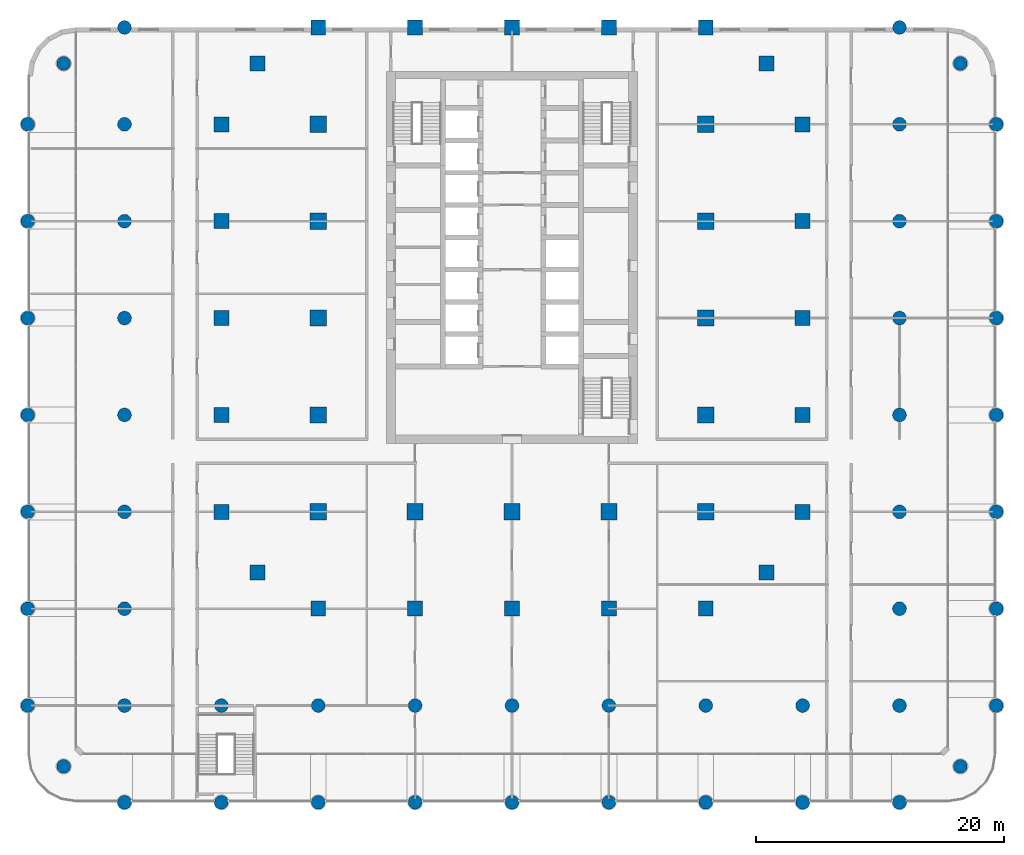
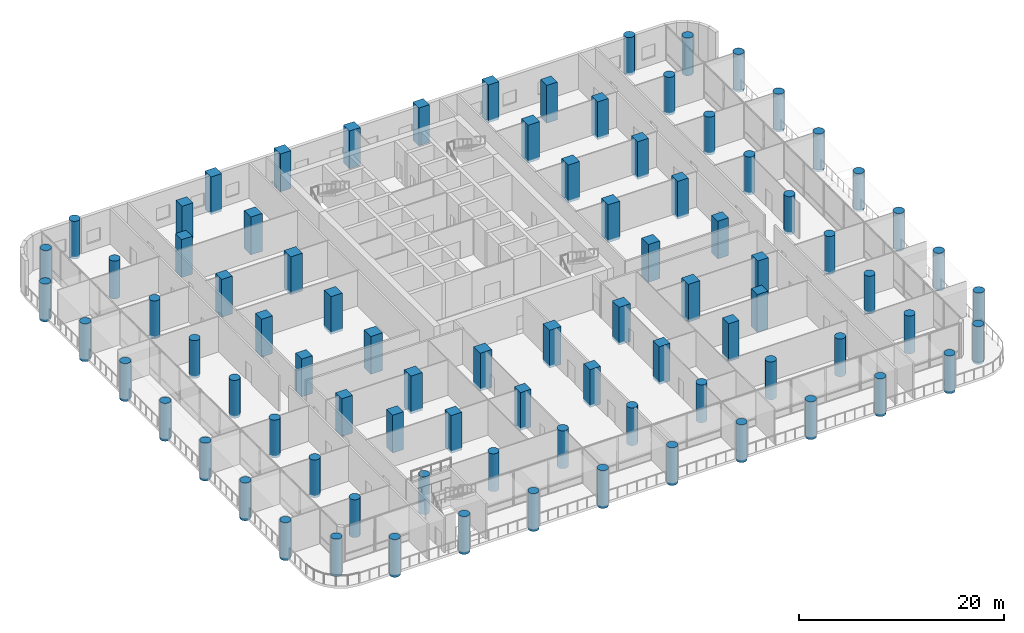
# One storey, part 1 of 24: 87 columns.
"""IFC4 building model written with IfcOpenShell, lengths in metres."""

from ifc_helpers import new_model, si_unit, direction, frame, origin, origin_2d, place, context, subcontext, project, spatial, rectangle, circle, extrude, material, material_profile, profile_set, type_object, element, save


model = new_model("IFC4")

# Units and contexts
model_context = context("Model", 3, precision=1e-05, world=origin(), true_north=direction((0.0, 1.0)))
body_context = subcontext(model_context, "Body", "Model", "MODEL_VIEW")
ifc_project = project(units=[si_unit("LENGTHUNIT", "METRE"), si_unit("AREAUNIT", "SQUARE_METRE"), si_unit("VOLUMEUNIT", "CUBIC_METRE"), si_unit("PLANEANGLEUNIT", "RADIAN"), si_unit("MASSUNIT", "GRAM", prefix="KILO")], contexts=[model_context])

# Site, building, storey
site_placement = place(None, origin())
site = spatial("IfcSite", under=ifc_project, at=site_placement, CompositionType="ELEMENT")
building_placement = place(site_placement, origin())
building = spatial("IfcBuilding", under=site, at=building_placement, Name="Ludao Terraces", CompositionType="ELEMENT")
storey_placement = place(building_placement, frame((0.0, 0.0, 6.0)))
storey = spatial("IfcBuildingStorey", under=building, at=storey_placement, Name="L01", CompositionType="ELEMENT", Elevation=6.0)

# Columns
ifc_material = material(Name="Concrete C60", Category="concrete")
ifc_material_profile_1 = material_profile(ifc_material, rectangle(XDim=1.199951171875, YDim=1.199951171875, at=origin_2d()), Name="1200 X 1200")
ifc_profile_set_1 = profile_set([ifc_material_profile_1], Name="Concrete C60")
column_type_1 = type_object("IfcColumnType", Name="RC column 1200x1200 C60", PredefinedType="COLUMN", material=ifc_profile_set_1)
for number, where, z_axis, x_axis, name in (
    (1, (64.5, 44.5, -0.300048828125), (0.0, 0.0, 1.0), (1.0, 0.0, 0.0), "Column L01 C0029x0029"),
    (2, (105.5, 44.5, -0.300048828125), (0.0, 0.0, 1.0), (1.0, 0.0, 0.0), "Column L01 C0439x0029"),
    (3, (64.5, 85.5, -0.300048828125), (0.0, 0.0, 1.0), (1.0, 0.0, 0.0), "Column L01 C0029x0439"),
    (4, (105.5, 85.5, -0.300048828125), (0.0, 0.0, 1.0), (1.0, 0.0, 0.0), "Column L01 C0439x0439"),
    (5, (61.60009765625, 49.39990234375, -0.300048828125), (0.0, 0.0, 1.0), (1.0, 0.0, 0.0), "Column L01 F0000x0078"),
    (6, (108.39990234375, 49.39990234375, -0.300048828125), (0.0, 0.0, 1.0), (1.0, 0.0, 0.0), "Column L01 F0468x0078"),
    (7, (69.39990234375, 41.60009765625, -0.300048828125), (0.0, 0.0, 1.0), (1.0, 0.0, 0.0), "Column L01 F0078x0000"),
    (8, (69.39990234375, 88.39990234375, -0.300048828125), (0.0, 0.0, 1.0), (1.0, 0.0, 0.0), "Column L01 F0078x0468"),
    (9, (61.60009765625, 57.199951171875, -0.300048828125), (0.0, 0.0, 1.0), (1.0, 0.0, 0.0), "Column L01 F0000x0156"),
    (10, (108.39990234375, 57.199951171875, -0.300048828125), (0.0, 0.0, 1.0), (1.0, 0.0, 0.0), "Column L01 F0468x0156"),
    (11, (77.199951171875, 41.60009765625, -0.300048828125), (0.0, 0.0, 1.0), (1.0, 0.0, 0.0), "Column L01 F0156x0000"),
    (12, (77.199951171875, 88.39990234375, -0.300048828125), (0.0, 0.0, 1.0), (1.0, 0.0, 0.0), "Column L01 F0156x0468"),
    (13, (61.60009765625, 65.0, -0.300048828125), (0.0, 0.0, 1.0), (1.0, 0.0, 0.0), "Column L01 F0000x0234"),
    (14, (108.39990234375, 65.0, -0.300048828125), (0.0, 0.0, 1.0), (1.0, 0.0, 0.0), "Column L01 F0468x0234"),
    (15, (85.0, 41.60009765625, -0.300048828125), (0.0, 0.0, 1.0), (1.0, 0.0, 0.0), "Column L01 F0234x0000"),
    (16, (85.0, 88.39990234375, -0.300048828125), (0.0, 0.0, 1.0), (1.0, 0.0, 0.0), "Column L01 F0234x0468"),
    (17, (61.60009765625, 72.800048828125, -0.300048828125), (0.0, 0.0, 1.0), (1.0, 0.0, 0.0), "Column L01 F0000x0312"),
    (18, (108.39990234375, 72.800048828125, -0.300048828125), (0.0, 0.0, 1.0), (1.0, 0.0, 0.0), "Column L01 F0468x0312"),
    (19, (92.800048828125, 41.60009765625, -0.300048828125), (0.0, 0.0, 1.0), (1.0, 0.0, 0.0), "Column L01 F0312x0000"),
    (20, (92.800048828125, 88.39990234375, -0.300048828125), (0.0, 0.0, 1.0), (1.0, 0.0, 0.0), "Column L01 F0312x0468"),
    (21, (61.60009765625, 80.60009765625, -0.300048828125), (0.0, 0.0, 1.0), (1.0, 0.0, 0.0), "Column L01 F0000x0390"),
    (22, (108.39990234375, 80.60009765625, -0.300048828125), (0.0, 0.0, 1.0), (1.0, 0.0, 0.0), "Column L01 F0468x0390"),
    (23, (100.60009765625, 41.60009765625, -0.300048828125), (0.0, 0.0, 1.0), (1.0, 0.0, 0.0), "Column L01 F0390x0000"),
    (24, (100.60009765625, 88.39990234375, -0.300048828125), (0.0, 0.0, 1.0), (1.0, 0.0, 0.0), "Column L01 F0390x0468"),
):
    element("IfcColumn", number, at=place(storey_placement, frame(where, z_axis=z_axis, x_axis=x_axis)), inside=storey, type_object=column_type_1, Name=name, PredefinedType="COLUMN", context=body_context, shape_type="SweptSolid", body=[
        extrude(rectangle(XDim=1.199951171875, YDim=1.199951171875, at=origin_2d()), origin(), (0.0, 0.0, 1.0), 4.5),
    ])
ifc_material_profile_2 = material_profile(ifc_material, rectangle(XDim=1.300048828125, YDim=1.300048828125, at=origin_2d()), Name="1300 X 1300")
ifc_profile_set_2 = profile_set([ifc_material_profile_2], Name="Concrete C60")
column_type_2 = type_object("IfcColumnType", Name="RC column 1300x1300 C60", PredefinedType="COLUMN", material=ifc_profile_set_2)
for number, where, z_axis, x_axis, name in (
    (25, (69.39990234375, 49.39990234375, -0.300048828125), (0.0, 0.0, 1.0), (1.0, 0.0, 0.0), "Column L01 S0078x0078"),
    (26, (69.39990234375, 57.199951171875, -0.300048828125), (0.0, 0.0, 1.0), (1.0, 0.0, 0.0), "Column L01 S0078x0156"),
    (27, (69.39990234375, 65.0, -0.300048828125), (0.0, 0.0, 1.0), (1.0, 0.0, 0.0), "Column L01 S0078x0234"),
    (28, (69.39990234375, 72.800048828125, -0.300048828125), (0.0, 0.0, 1.0), (1.0, 0.0, 0.0), "Column L01 S0078x0312"),
    (29, (69.39990234375, 80.60009765625, -0.300048828125), (0.0, 0.0, 1.0), (1.0, 0.0, 0.0), "Column L01 S0078x0390"),
    (30, (77.199951171875, 49.39990234375, -0.300048828125), (0.0, 0.0, 1.0), (1.0, 0.0, 0.0), "Column L01 S0156x0078"),
    (31, (85.0, 49.39990234375, -0.300048828125), (0.0, 0.0, 1.0), (1.0, 0.0, 0.0), "Column L01 S0234x0078"),
    (32, (92.800048828125, 49.39990234375, -0.300048828125), (0.0, 0.0, 1.0), (1.0, 0.0, 0.0), "Column L01 S0312x0078"),
    (33, (100.60009765625, 49.39990234375, -0.300048828125), (0.0, 0.0, 1.0), (1.0, 0.0, 0.0), "Column L01 S0390x0078"),
    (34, (100.60009765625, 57.199951171875, -0.300048828125), (0.0, 0.0, 1.0), (1.0, 0.0, 0.0), "Column L01 S0390x0156"),
    (35, (100.60009765625, 65.0, -0.300048828125), (0.0, 0.0, 1.0), (1.0, 0.0, 0.0), "Column L01 S0390x0234"),
    (36, (100.60009765625, 72.800048828125, -0.300048828125), (0.0, 0.0, 1.0), (1.0, 0.0, 0.0), "Column L01 S0390x0312"),
    (37, (100.60009765625, 80.60009765625, -0.300048828125), (0.0, 0.0, 1.0), (1.0, 0.0, 0.0), "Column L01 S0390x0390"),
):
    element("IfcColumn", number, at=place(storey_placement, frame(where, z_axis=z_axis, x_axis=x_axis)), inside=storey, type_object=column_type_2, Name=name, PredefinedType="COLUMN", context=body_context, shape_type="SweptSolid", body=[
        extrude(rectangle(XDim=1.300048828125, YDim=1.300048828125, at=origin_2d()), origin(), (0.0, 0.0, 1.0), 4.5),
    ])
ifc_material_profile_3 = material_profile(ifc_material, circle(Radius=0.550048828125, at=origin_2d()), Name="D1100")
ifc_profile_set_3 = profile_set([ifc_material_profile_3], Name="Concrete C60")
column_type_3 = type_object("IfcColumnType", Name="RC column D1100 C60", PredefinedType="COLUMN", material=ifc_profile_set_3)
for number, where, z_axis, x_axis, name in (
    (38, (48.89990234375, 28.89990234375, -0.300048828125), (0.0, 0.0, 1.0), (1.0, 0.0, 0.0), "Column L01 G-127x-127"),
    (39, (46.0, 33.800048828125, -0.300048828125), (0.0, 0.0, 1.0), (1.0, 0.0, 0.0), "Column L01 G-156x-078"),
    (40, (46.0, 41.60009765625, -0.300048828125), (0.0, 0.0, 1.0), (1.0, 0.0, 0.0), "Column L01 G-156x0000"),
    (41, (46.0, 49.39990234375, -0.300048828125), (0.0, 0.0, 1.0), (1.0, 0.0, 0.0), "Column L01 G-156x0078"),
    (42, (46.0, 57.199951171875, -0.300048828125), (0.0, 0.0, 1.0), (1.0, 0.0, 0.0), "Column L01 G-156x0156"),
    (43, (46.0, 65.0, -0.300048828125), (0.0, 0.0, 1.0), (1.0, 0.0, 0.0), "Column L01 G-156x0234"),
    (44, (46.0, 72.800048828125, -0.300048828125), (0.0, 0.0, 1.0), (1.0, 0.0, 0.0), "Column L01 G-156x0312"),
    (45, (46.0, 80.60009765625, -0.300048828125), (0.0, 0.0, 1.0), (1.0, 0.0, 0.0), "Column L01 G-156x0390"),
    (46, (48.89990234375, 85.5, -0.300048828125), (0.0, 0.0, 1.0), (1.0, 0.0, 0.0), "Column L01 G-127x0439"),
    (47, (53.800048828125, 26.0, -0.300048828125), (0.0, 0.0, 1.0), (1.0, 0.0, 0.0), "Column L01 G-078x-156"),
    (48, (53.800048828125, 33.800048828125, -0.300048828125), (0.0, 0.0, 1.0), (1.0, 0.0, 0.0), "Column L01 G-078x-078"),
    (49, (53.800048828125, 41.60009765625, -0.300048828125), (0.0, 0.0, 1.0), (1.0, 0.0, 0.0), "Column L01 G-078x0000"),
    (50, (53.800048828125, 49.39990234375, -0.300048828125), (0.0, 0.0, 1.0), (1.0, 0.0, 0.0), "Column L01 G-078x0078"),
    (51, (53.800048828125, 57.199951171875, -0.300048828125), (0.0, 0.0, 1.0), (1.0, 0.0, 0.0), "Column L01 G-078x0156"),
    (52, (53.800048828125, 65.0, -0.300048828125), (0.0, 0.0, 1.0), (1.0, 0.0, 0.0), "Column L01 G-078x0234"),
    (53, (53.800048828125, 72.800048828125, -0.300048828125), (0.0, 0.0, 1.0), (1.0, 0.0, 0.0), "Column L01 G-078x0312"),
    (54, (53.800048828125, 80.60009765625, -0.300048828125), (0.0, 0.0, 1.0), (1.0, 0.0, 0.0), "Column L01 G-078x0390"),
    (55, (53.800048828125, 88.39990234375, -0.300048828125), (0.0, 0.0, 1.0), (1.0, 0.0, 0.0), "Column L01 G-078x0468"),
    (56, (61.60009765625, 26.0, -0.300048828125), (0.0, 0.0, 1.0), (1.0, 0.0, 0.0), "Column L01 G0000x-156"),
    (57, (61.60009765625, 33.800048828125, -0.300048828125), (0.0, 0.0, 1.0), (1.0, 0.0, 0.0), "Column L01 G0000x-078"),
    (58, (69.39990234375, 26.0, -0.300048828125), (0.0, 0.0, 1.0), (1.0, 0.0, 0.0), "Column L01 G0078x-156"),
    (59, (69.39990234375, 33.800048828125, -0.300048828125), (0.0, 0.0, 1.0), (1.0, 0.0, 0.0), "Column L01 G0078x-078"),
    (60, (77.199951171875, 26.0, -0.300048828125), (0.0, 0.0, 1.0), (1.0, 0.0, 0.0), "Column L01 G0156x-156"),
    (61, (77.199951171875, 33.800048828125, -0.300048828125), (0.0, 0.0, 1.0), (1.0, 0.0, 0.0), "Column L01 G0156x-078"),
    (62, (85.0, 26.0, -0.300048828125), (0.0, 0.0, 1.0), (1.0, 0.0, 0.0), "Column L01 G0234x-156"),
    (63, (85.0, 33.800048828125, -0.300048828125), (0.0, 0.0, 1.0), (1.0, 0.0, 0.0), "Column L01 G0234x-078"),
    (64, (92.800048828125, 26.0, -0.300048828125), (0.0, 0.0, 1.0), (1.0, 0.0, 0.0), "Column L01 G0312x-156"),
    (65, (92.800048828125, 33.800048828125, -0.300048828125), (0.0, 0.0, 1.0), (1.0, 0.0, 0.0), "Column L01 G0312x-078"),
    (66, (100.60009765625, 26.0, -0.300048828125), (0.0, 0.0, 1.0), (1.0, 0.0, 0.0), "Column L01 G0390x-156"),
    (67, (100.60009765625, 33.800048828125, -0.300048828125), (0.0, 0.0, 1.0), (1.0, 0.0, 0.0), "Column L01 G0390x-078"),
    (68, (108.39990234375, 26.0, -0.300048828125), (0.0, 0.0, 1.0), (1.0, 0.0, 0.0), "Column L01 G0468x-156"),
    (69, (108.39990234375, 33.800048828125, -0.300048828125), (0.0, 0.0, 1.0), (1.0, 0.0, 0.0), "Column L01 G0468x-078"),
    (70, (116.199951171875, 26.0, -0.300048828125), (0.0, 0.0, 1.0), (1.0, 0.0, 0.0), "Column L01 G0546x-156"),
    (71, (116.199951171875, 33.800048828125, -0.300048828125), (0.0, 0.0, 1.0), (1.0, 0.0, 0.0), "Column L01 G0546x-078"),
    (72, (116.199951171875, 41.60009765625, -0.300048828125), (0.0, 0.0, 1.0), (1.0, 0.0, 0.0), "Column L01 G0546x0000"),
    (73, (116.199951171875, 49.39990234375, -0.300048828125), (0.0, 0.0, 1.0), (1.0, 0.0, 0.0), "Column L01 G0546x0078"),
    (74, (116.199951171875, 57.199951171875, -0.300048828125), (0.0, 0.0, 1.0), (1.0, 0.0, 0.0), "Column L01 G0546x0156"),
    (75, (116.199951171875, 65.0, -0.300048828125), (0.0, 0.0, 1.0), (1.0, 0.0, 0.0), "Column L01 G0546x0234"),
    (76, (116.199951171875, 72.800048828125, -0.300048828125), (0.0, 0.0, 1.0), (1.0, 0.0, 0.0), "Column L01 G0546x0312"),
    (77, (116.199951171875, 80.60009765625, -0.300048828125), (0.0, 0.0, 1.0), (1.0, 0.0, 0.0), "Column L01 G0546x0390"),
    (78, (116.199951171875, 88.39990234375, -0.300048828125), (0.0, 0.0, 1.0), (1.0, 0.0, 0.0), "Column L01 G0546x0468"),
    (79, (121.10009765625, 28.89990234375, -0.300048828125), (0.0, 0.0, 1.0), (1.0, 0.0, 0.0), "Column L01 G0595x-127"),
    (80, (124.0, 33.800048828125, -0.300048828125), (0.0, 0.0, 1.0), (1.0, 0.0, 0.0), "Column L01 G0624x-078"),
    (81, (124.0, 41.60009765625, -0.300048828125), (0.0, 0.0, 1.0), (1.0, 0.0, 0.0), "Column L01 G0624x0000"),
    (82, (124.0, 49.39990234375, -0.300048828125), (0.0, 0.0, 1.0), (1.0, 0.0, 0.0), "Column L01 G0624x0078"),
    (83, (124.0, 57.199951171875, -0.300048828125), (0.0, 0.0, 1.0), (1.0, 0.0, 0.0), "Column L01 G0624x0156"),
    (84, (124.0, 65.0, -0.300048828125), (0.0, 0.0, 1.0), (1.0, 0.0, 0.0), "Column L01 G0624x0234"),
    (85, (124.0, 72.800048828125, -0.300048828125), (0.0, 0.0, 1.0), (1.0, 0.0, 0.0), "Column L01 G0624x0312"),
    (86, (124.0, 80.60009765625, -0.300048828125), (0.0, 0.0, 1.0), (1.0, 0.0, 0.0), "Column L01 G0624x0390"),
    (87, (121.10009765625, 85.5, -0.300048828125), (0.0, 0.0, 1.0), (1.0, 0.0, 0.0), "Column L01 G0595x0439"),
):
    element("IfcColumn", number, at=place(storey_placement, frame(where, z_axis=z_axis, x_axis=x_axis)), inside=storey, type_object=column_type_3, Name=name, PredefinedType="COLUMN", context=body_context, shape_type="SweptSolid", body=[
        extrude(circle(Radius=0.550048828125, at=origin_2d()), origin(), (0.0, 0.0, 1.0), 4.5),
    ])

save(model, "model.ifc")
